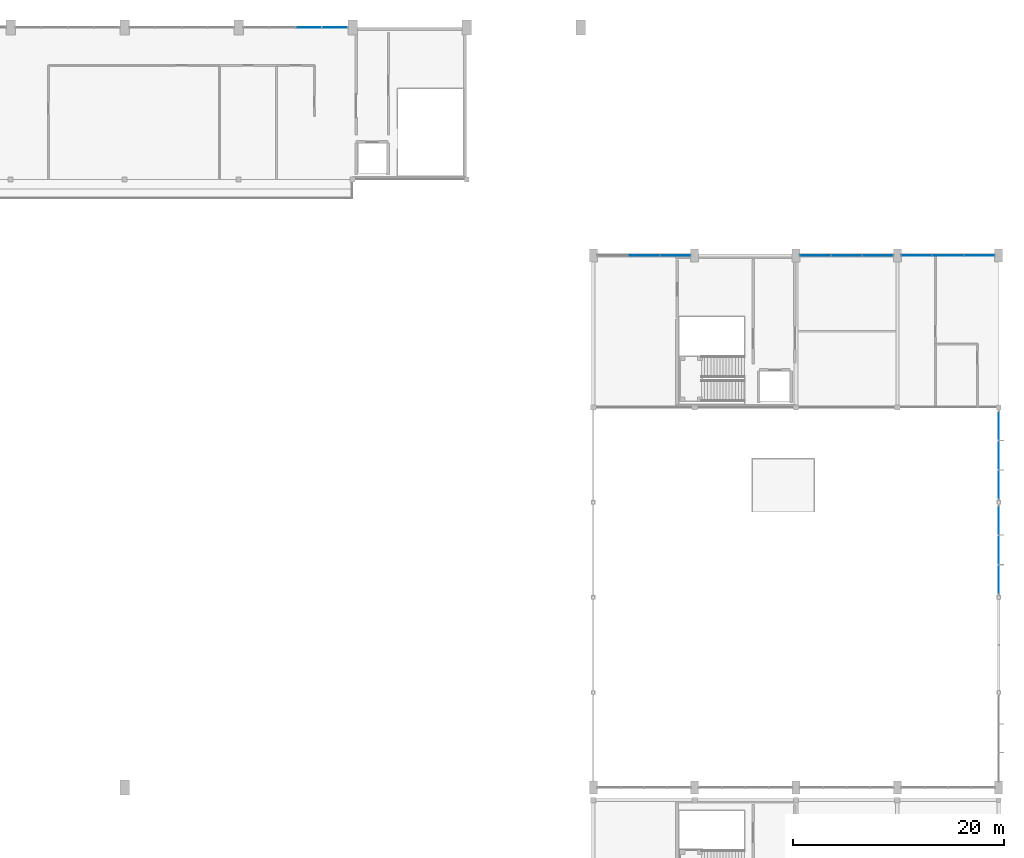
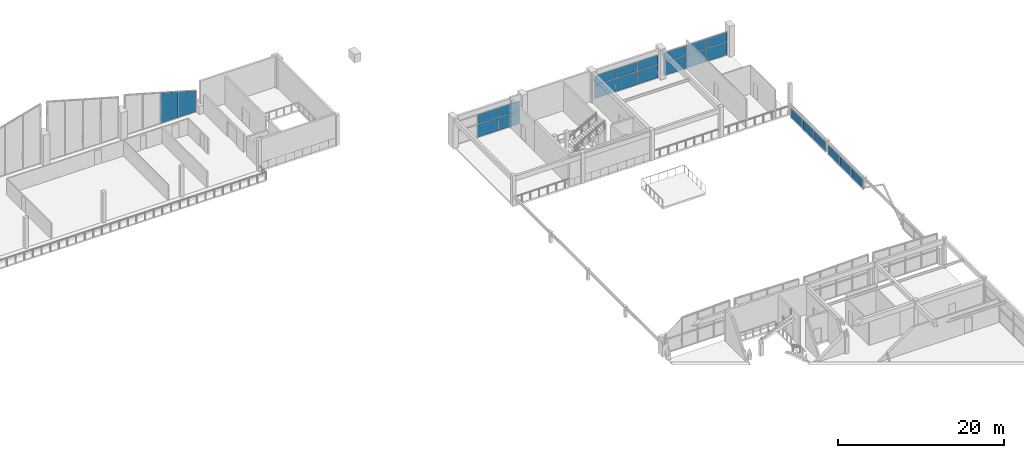
# One storey, part 62 of 89: 24 plates, 6 elements without a shape of their own.
"""IFC4 building model written with IfcOpenShell, lengths in metres."""

from ifc_helpers import new_model, si_unit, direction, frame, origin, place, context, subcontext, project, spatial, polyline, outline, extrude, material, layer, layer_set, type_object, element, aggregate, save


model = new_model("IFC4")

# Units and contexts
model_context = context("Model", 3, precision=1e-05, world=origin(), true_north=direction((0.0, 1.0)))
body_context = subcontext(model_context, "Body", "Model", "MODEL_VIEW")
ifc_project = project(units=[si_unit("LENGTHUNIT", "METRE"), si_unit("AREAUNIT", "SQUARE_METRE"), si_unit("VOLUMEUNIT", "CUBIC_METRE"), si_unit("PLANEANGLEUNIT", "RADIAN"), si_unit("MASSUNIT", "GRAM", prefix="KILO")], contexts=[model_context])

# Site, building, storey
site_placement = place(None, origin())
site = spatial("IfcSite", under=ifc_project, at=site_placement, CompositionType="ELEMENT")
building_placement = place(site_placement, origin())
building = spatial("IfcBuilding", under=site, at=building_placement, Name="Suirenkawa Promenade Aquatics Centre", CompositionType="ELEMENT")
storey_placement = place(building_placement, frame((0.0, 0.0, 9.60009765625)))
storey = spatial("IfcBuildingStorey", under=building, at=storey_placement, Name="L02", CompositionType="ELEMENT", Elevation=9.60009765625)

# Curtain wall, plates
ifc_material_1 = material(Name="Anodised aluminium 6063-T6", Category="aluminium")
curtain_wall_type_1 = type_object("IfcCurtainWallType", Name="CWAT-CLERN-13", PredefinedType="NOTDEFINED", material=ifc_material_1)
curtain_wall_1_placement = place(storey_placement, origin())
curtain_wall_1 = element("IfcCurtainWall", 1, at=curtain_wall_1_placement, inside=storey, type_object=curtain_wall_type_1, Name="Curtain wall CWA-13 CW-029", PredefinedType="NOTDEFINED")
ifc_material_2 = material(Name="Ceramic-fritted low-SHGC double glazing", Category="glass")
ifc_layer_1 = layer(ifc_material_2, 0.031982421875, Name="Ceramic-fritted low-SHGC double glazing", Category="glass")
ifc_layer_set_1 = layer_set([ifc_layer_1], Name="Ceramic-fritted low-SHGC double glazing")
plate_type_1 = type_object("IfcPlateType", Name="CWP-CLER-32", PredefinedType="CURTAIN_PANEL", material=ifc_layer_set_1)
plate_1_placement = place(storey_placement, frame((127.800048828125, 122.39990234375, 0.039794921875), z_axis=(0.0, 0.0, 1.0), x_axis=(1.0, 0.0, 0.0)))
plate_1 = element("IfcPlate", 2, at=plate_1_placement, type_object=plate_type_1, Name="Top glazed panel CP-03 CWP-00617", PredefinedType="CURTAIN_PANEL", context=body_context, shape_type="SweptSolid", body=[
    extrude(outline(polyline([(0.0400390625, 0.0), (2.435546875, 0.0), (2.435546875, 3.77001953125), (0.0400390625, 4.47021484375), (0.0400390625, 0.0)])), frame((0.0, 0.01611328125, 0.0), z_axis=(0.0, -1.0, 0.0), x_axis=(1.0, 0.0, 0.0)), (0.0, 0.0, 1.0), 0.031982421875),
])
plate_2_placement = place(storey_placement, frame((130.275390625, 122.39990234375, 0.039794921875), z_axis=(0.0, 0.0, 1.0), x_axis=(1.0, 0.0, 0.0)))
plate_2 = element("IfcPlate", 3, at=plate_2_placement, type_object=plate_type_1, Name="Top glazed panel CP-03 CWP-00618", PredefinedType="CURTAIN_PANEL", context=body_context, shape_type="SweptSolid", body=[
    extrude(outline(polyline([(0.0400390625, 0.0), (2.435546875, 0.0), (2.435546875, 3.070068359375), (0.0400390625, 3.77001953125), (0.0400390625, 0.0)])), frame((0.0, 0.01611328125, 0.0), z_axis=(0.0, -1.0, 0.0), x_axis=(1.0, 0.0, 0.0)), (0.0, 0.0, 1.0), 0.031982421875),
])
aggregate(curtain_wall_1, [plate_1, plate_2])

curtain_wall_type_2 = type_object("IfcCurtainWallType", Name="CWAT-V2GL02-19", PredefinedType="NOTDEFINED", material=ifc_material_1)
curtain_wall_2_placement = place(storey_placement, origin())
curtain_wall_2 = element("IfcCurtainWall", 4, at=curtain_wall_2_placement, inside=storey, type_object=curtain_wall_type_2, Name="Curtain wall CWA-19 CW-038", PredefinedType="NOTDEFINED")
ifc_material_3 = material(Name="Low-E thermally broken double glazing", Category="glass")
ifc_layer_2 = layer(ifc_material_3, 0.028076171875, Name="Low-E thermally broken double glazing", Category="glass")
ifc_layer_set_2 = layer_set([ifc_layer_2], Name="Low-E thermally broken double glazing")
plate_type_2 = type_object("IfcPlateType", Name="CWP-LOWE-28", PredefinedType="CURTAIN_PANEL", material=ifc_layer_set_2)
plate_3_placement = place(storey_placement, frame((159.32470703125, 100.800048828125, 0.039794921875), z_axis=(0.0, 0.0, 1.0), x_axis=(1.0, 0.0, 0.0)))
plate_3 = element("IfcPlate", 5, at=plate_3_placement, type_object=plate_type_2, Name="Glazed panel CP-02 CWP-00791", PredefinedType="CURTAIN_PANEL", context=body_context, shape_type="SweptSolid", body=[
    extrude(outline(polyline([(0.0400390625, 0.0), (2.91064453125, 0.0), (2.91064453125, 1.920166015625), (0.0400390625, 1.920166015625), (0.0400390625, 0.0)])), frame((0.0, 0.01416015625, 0.0), z_axis=(0.0, -1.0, 0.0), x_axis=(1.0, 0.0, 0.0)), (0.0, 0.0, 1.0), 0.028076171875),
])
plate_4_placement = place(storey_placement, frame((159.32470703125, 100.800048828125, 2.039794921875), z_axis=(0.0, 0.0, 1.0), x_axis=(1.0, 0.0, 0.0)))
plate_4 = element("IfcPlate", 6, at=plate_4_placement, type_object=plate_type_2, Name="Top glazed panel CP-02 CWP-00792", PredefinedType="CURTAIN_PANEL", context=body_context, shape_type="SweptSolid", body=[
    extrude(outline(polyline([(0.0400390625, 0.0), (2.91064453125, 0.0), (2.91064453125, 1.340087890625), (0.0400390625, 1.340087890625), (0.0400390625, 0.0)])), frame((0.0, 0.01416015625, 0.0), z_axis=(0.0, -1.0, 0.0), x_axis=(1.0, 0.0, 0.0)), (0.0, 0.0, 1.0), 0.028076171875),
])
plate_5_placement = place(storey_placement, frame((162.275390625, 100.800048828125, 0.039794921875), z_axis=(0.0, 0.0, 1.0), x_axis=(1.0, 0.0, 0.0)))
plate_5 = element("IfcPlate", 7, at=plate_5_placement, type_object=plate_type_2, Name="Glazed panel CP-02 CWP-00793", PredefinedType="CURTAIN_PANEL", context=body_context, shape_type="SweptSolid", body=[
    extrude(outline(polyline([(0.0400390625, 0.0), (2.91064453125, 0.0), (2.91064453125, 1.920166015625), (0.0400390625, 1.920166015625), (0.0400390625, 0.0)])), frame((0.0, 0.01416015625, 0.0), z_axis=(0.0, -1.0, 0.0), x_axis=(1.0, 0.0, 0.0)), (0.0, 0.0, 1.0), 0.028076171875),
])
plate_6_placement = place(storey_placement, frame((162.275390625, 100.800048828125, 2.039794921875), z_axis=(0.0, 0.0, 1.0), x_axis=(1.0, 0.0, 0.0)))
plate_6 = element("IfcPlate", 8, at=plate_6_placement, type_object=plate_type_2, Name="Top glazed panel CP-02 CWP-00794", PredefinedType="CURTAIN_PANEL", context=body_context, shape_type="SweptSolid", body=[
    extrude(outline(polyline([(0.0400390625, 0.0), (2.91064453125, 0.0), (2.91064453125, 1.340087890625), (0.0400390625, 1.340087890625), (0.0400390625, 0.0)])), frame((0.0, 0.01416015625, 0.0), z_axis=(0.0, -1.0, 0.0), x_axis=(1.0, 0.0, 0.0)), (0.0, 0.0, 1.0), 0.028076171875),
])
aggregate(curtain_wall_2, [plate_3, plate_4, plate_5, plate_6])

curtain_wall_3_placement = place(storey_placement, origin())
curtain_wall_3 = element("IfcCurtainWall", 9, at=curtain_wall_3_placement, inside=storey, type_object=curtain_wall_type_2, Name="Curtain wall CWA-19 CW-044", PredefinedType="NOTDEFINED")
plate_7_placement = place(storey_placement, frame((175.573974609375, 100.800048828125, 0.039794921875), z_axis=(0.0, 0.0, 1.0), x_axis=(1.0, 0.0, 0.0)))
plate_7 = element("IfcPlate", 10, at=plate_7_placement, type_object=plate_type_2, Name="Glazed panel CP-02 CWP-00911", PredefinedType="CURTAIN_PANEL", context=body_context, shape_type="SweptSolid", body=[
    extrude(outline(polyline([(0.0400390625, 0.0), (2.91064453125, 0.0), (2.91064453125, 1.920166015625), (0.0400390625, 1.920166015625), (0.0400390625, 0.0)])), frame((0.0, 0.01416015625, 0.0), z_axis=(0.0, -1.0, 0.0), x_axis=(1.0, 0.0, 0.0)), (0.0, 0.0, 1.0), 0.028076171875),
])
plate_8_placement = place(storey_placement, frame((175.573974609375, 100.800048828125, 2.039794921875), z_axis=(0.0, 0.0, 1.0), x_axis=(1.0, 0.0, 0.0)))
plate_8 = element("IfcPlate", 11, at=plate_8_placement, type_object=plate_type_2, Name="Top glazed panel CP-02 CWP-00912", PredefinedType="CURTAIN_PANEL", context=body_context, shape_type="SweptSolid", body=[
    extrude(outline(polyline([(0.0400390625, 0.0), (2.91064453125, 0.0), (2.91064453125, 1.340087890625), (0.0400390625, 1.340087890625), (0.0400390625, 0.0)])), frame((0.0, 0.01416015625, 0.0), z_axis=(0.0, -1.0, 0.0), x_axis=(1.0, 0.0, 0.0)), (0.0, 0.0, 1.0), 0.028076171875),
])
plate_9_placement = place(storey_placement, frame((178.524658203125, 100.800048828125, 0.039794921875), z_axis=(0.0, 0.0, 1.0), x_axis=(1.0, 0.0, 0.0)))
plate_9 = element("IfcPlate", 12, at=plate_9_placement, type_object=plate_type_2, Name="Glazed panel CP-02 CWP-00913", PredefinedType="CURTAIN_PANEL", context=body_context, shape_type="SweptSolid", body=[
    extrude(outline(polyline([(0.0400390625, 0.0), (2.91064453125, 0.0), (2.91064453125, 1.920166015625), (0.0400390625, 1.920166015625), (0.0400390625, 0.0)])), frame((0.0, 0.01416015625, 0.0), z_axis=(0.0, -1.0, 0.0), x_axis=(1.0, 0.0, 0.0)), (0.0, 0.0, 1.0), 0.028076171875),
])
plate_10_placement = place(storey_placement, frame((178.524658203125, 100.800048828125, 2.039794921875), z_axis=(0.0, 0.0, 1.0), x_axis=(1.0, 0.0, 0.0)))
plate_10 = element("IfcPlate", 13, at=plate_10_placement, type_object=plate_type_2, Name="Top glazed panel CP-02 CWP-00914", PredefinedType="CURTAIN_PANEL", context=body_context, shape_type="SweptSolid", body=[
    extrude(outline(polyline([(0.0400390625, 0.0), (2.91064453125, 0.0), (2.91064453125, 1.340087890625), (0.0400390625, 1.340087890625), (0.0400390625, 0.0)])), frame((0.0, 0.01416015625, 0.0), z_axis=(0.0, -1.0, 0.0), x_axis=(1.0, 0.0, 0.0)), (0.0, 0.0, 1.0), 0.028076171875),
])
plate_11_placement = place(storey_placement, frame((181.475341796875, 100.800048828125, 0.039794921875), z_axis=(0.0, 0.0, 1.0), x_axis=(1.0, 0.0, 0.0)))
plate_11 = element("IfcPlate", 14, at=plate_11_placement, type_object=plate_type_2, Name="Glazed panel CP-02 CWP-00915", PredefinedType="CURTAIN_PANEL", context=body_context, shape_type="SweptSolid", body=[
    extrude(outline(polyline([(0.0400390625, 0.0), (2.91064453125, 0.0), (2.91064453125, 1.920166015625), (0.0400390625, 1.920166015625), (0.0400390625, 0.0)])), frame((0.0, 0.01416015625, 0.0), z_axis=(0.0, -1.0, 0.0), x_axis=(1.0, 0.0, 0.0)), (0.0, 0.0, 1.0), 0.028076171875),
])
plate_12_placement = place(storey_placement, frame((181.475341796875, 100.800048828125, 2.039794921875), z_axis=(0.0, 0.0, 1.0), x_axis=(1.0, 0.0, 0.0)))
plate_12 = element("IfcPlate", 15, at=plate_12_placement, type_object=plate_type_2, Name="Top glazed panel CP-02 CWP-00916", PredefinedType="CURTAIN_PANEL", context=body_context, shape_type="SweptSolid", body=[
    extrude(outline(polyline([(0.0400390625, 0.0), (2.91064453125, 0.0), (2.91064453125, 1.340087890625), (0.0400390625, 1.340087890625), (0.0400390625, 0.0)])), frame((0.0, 0.01416015625, 0.0), z_axis=(0.0, -1.0, 0.0), x_axis=(1.0, 0.0, 0.0)), (0.0, 0.0, 1.0), 0.028076171875),
])
aggregate(curtain_wall_3, [plate_7, plate_8, plate_9, plate_10, plate_11, plate_12])

curtain_wall_4_placement = place(storey_placement, origin())
curtain_wall_4 = element("IfcCurtainWall", 16, at=curtain_wall_4_placement, inside=storey, type_object=curtain_wall_type_2, Name="Curtain wall CWA-19 CW-047", PredefinedType="NOTDEFINED")
plate_13_placement = place(storey_placement, frame((185.174072265625, 100.800048828125, 0.039794921875), z_axis=(0.0, 0.0, 1.0), x_axis=(1.0, 0.0, 0.0)))
plate_13 = element("IfcPlate", 17, at=plate_13_placement, type_object=plate_type_2, Name="Glazed panel CP-02 CWP-00967", PredefinedType="CURTAIN_PANEL", context=body_context, shape_type="SweptSolid", body=[
    extrude(outline(polyline([(0.0400390625, 0.0), (2.91064453125, 0.0), (2.91064453125, 1.920166015625), (0.0400390625, 1.920166015625), (0.0400390625, 0.0)])), frame((0.0, 0.01416015625, 0.0), z_axis=(0.0, -1.0, 0.0), x_axis=(1.0, 0.0, 0.0)), (0.0, 0.0, 1.0), 0.028076171875),
])
plate_14_placement = place(storey_placement, frame((185.174072265625, 100.800048828125, 2.039794921875), z_axis=(0.0, 0.0, 1.0), x_axis=(1.0, 0.0, 0.0)))
plate_14 = element("IfcPlate", 18, at=plate_14_placement, type_object=plate_type_2, Name="Top glazed panel CP-02 CWP-00968", PredefinedType="CURTAIN_PANEL", context=body_context, shape_type="SweptSolid", body=[
    extrude(outline(polyline([(0.0400390625, 0.0), (2.91064453125, 0.0), (2.91064453125, 1.340087890625), (0.0400390625, 1.340087890625), (0.0400390625, 0.0)])), frame((0.0, 0.01416015625, 0.0), z_axis=(0.0, -1.0, 0.0), x_axis=(1.0, 0.0, 0.0)), (0.0, 0.0, 1.0), 0.028076171875),
])
plate_15_placement = place(storey_placement, frame((188.124755859375, 100.800048828125, 0.039794921875), z_axis=(0.0, 0.0, 1.0), x_axis=(1.0, 0.0, 0.0)))
plate_15 = element("IfcPlate", 19, at=plate_15_placement, type_object=plate_type_2, Name="Glazed panel CP-02 CWP-00969", PredefinedType="CURTAIN_PANEL", context=body_context, shape_type="SweptSolid", body=[
    extrude(outline(polyline([(0.0400390625, 0.0), (2.91064453125, 0.0), (2.91064453125, 1.920166015625), (0.0400390625, 1.920166015625), (0.0400390625, 0.0)])), frame((0.0, 0.01416015625, 0.0), z_axis=(0.0, -1.0, 0.0), x_axis=(1.0, 0.0, 0.0)), (0.0, 0.0, 1.0), 0.028076171875),
])
plate_16_placement = place(storey_placement, frame((188.124755859375, 100.800048828125, 2.039794921875), z_axis=(0.0, 0.0, 1.0), x_axis=(1.0, 0.0, 0.0)))
plate_16 = element("IfcPlate", 20, at=plate_16_placement, type_object=plate_type_2, Name="Top glazed panel CP-02 CWP-00970", PredefinedType="CURTAIN_PANEL", context=body_context, shape_type="SweptSolid", body=[
    extrude(outline(polyline([(0.0400390625, 0.0), (2.91064453125, 0.0), (2.91064453125, 1.340087890625), (0.0400390625, 1.340087890625), (0.0400390625, 0.0)])), frame((0.0, 0.01416015625, 0.0), z_axis=(0.0, -1.0, 0.0), x_axis=(1.0, 0.0, 0.0)), (0.0, 0.0, 1.0), 0.028076171875),
])
plate_17_placement = place(storey_placement, frame((191.075439453125, 100.800048828125, 0.039794921875), z_axis=(0.0, 0.0, 1.0), x_axis=(1.0, 0.0, 0.0)))
plate_17 = element("IfcPlate", 21, at=plate_17_placement, type_object=plate_type_2, Name="Glazed panel CP-02 CWP-00971", PredefinedType="CURTAIN_PANEL", context=body_context, shape_type="SweptSolid", body=[
    extrude(outline(polyline([(0.0400390625, 0.0), (2.91064453125, 0.0), (2.91064453125, 1.920166015625), (0.0400390625, 1.920166015625), (0.0400390625, 0.0)])), frame((0.0, 0.01416015625, 0.0), z_axis=(0.0, -1.0, 0.0), x_axis=(1.0, 0.0, 0.0)), (0.0, 0.0, 1.0), 0.028076171875),
])
plate_18_placement = place(storey_placement, frame((191.075439453125, 100.800048828125, 2.039794921875), z_axis=(0.0, 0.0, 1.0), x_axis=(1.0, 0.0, 0.0)))
plate_18 = element("IfcPlate", 22, at=plate_18_placement, type_object=plate_type_2, Name="Top glazed panel CP-02 CWP-00972", PredefinedType="CURTAIN_PANEL", context=body_context, shape_type="SweptSolid", body=[
    extrude(outline(polyline([(0.0400390625, 0.0), (2.91064453125, 0.0), (2.91064453125, 1.340087890625), (0.0400390625, 1.340087890625), (0.0400390625, 0.0)])), frame((0.0, 0.01416015625, 0.0), z_axis=(0.0, -1.0, 0.0), x_axis=(1.0, 0.0, 0.0)), (0.0, 0.0, 1.0), 0.028076171875),
])
aggregate(curtain_wall_4, [plate_13, plate_14, plate_15, plate_16, plate_17, plate_18])

curtain_wall_type_3 = type_object("IfcCurtainWallType", Name="CWAT-V2E-23", PredefinedType="NOTDEFINED", material=ifc_material_1)
curtain_wall_5_placement = place(storey_placement, origin())
curtain_wall_5 = element("IfcCurtainWall", 23, at=curtain_wall_5_placement, inside=storey, type_object=curtain_wall_type_3, Name="Curtain wall CWA-23 CW-051", PredefinedType="NOTDEFINED")
ifc_layer_3 = layer(ifc_material_2, 0.035888671875, Name="Ceramic-fritted low-SHGC double glazing", Category="glass")
ifc_layer_set_3 = layer_set([ifc_layer_3], Name="Ceramic-fritted low-SHGC double glazing")
plate_type_3 = type_object("IfcPlateType", Name="CWP-SHOJI-36", PredefinedType="CURTAIN_PANEL", material=ifc_layer_set_3)
plate_19_placement = place(storey_placement, frame((194.39990234375, 77.10107421875, -0.31005859375), z_axis=(0.0, 0.0, 1.0), x_axis=(0.0, -1.0, 0.0)))
plate_19 = element("IfcPlate", 24, at=plate_19_placement, type_object=plate_type_3, Name="Top glazed panel CP-01 CWP-01026", PredefinedType="CURTAIN_PANEL", context=body_context, shape_type="SweptSolid", body=[
    extrude(outline(polyline([(0.0400390625, 0.0), (2.7607421875, 0.0), (2.7607421875, 1.324951171875), (0.0400390625, 1.324951171875), (0.0400390625, 0.0)])), frame((0.0, 0.01806640625, 0.0), z_axis=(0.0, -1.0, 0.0), x_axis=(1.0, 0.0, 0.0)), (0.0, 0.0, 1.0), 0.035888671875),
])
plate_20_placement = place(storey_placement, frame((194.39990234375, 74.30029296875, -0.31005859375), z_axis=(0.0, 0.0, 1.0), x_axis=(0.0, -1.0, 0.0)))
plate_20 = element("IfcPlate", 25, at=plate_20_placement, type_object=plate_type_3, Name="Top glazed panel CP-01 CWP-01027", PredefinedType="CURTAIN_PANEL", context=body_context, shape_type="SweptSolid", body=[
    extrude(outline(polyline([(0.0400390625, 0.0), (2.7607421875, 0.0), (2.7607421875, 1.324951171875), (0.0400390625, 1.324951171875), (0.0400390625, 0.0)])), frame((0.0, 0.01806640625, 0.0), z_axis=(0.0, -1.0, 0.0), x_axis=(1.0, 0.0, 0.0)), (0.0, 0.0, 1.0), 0.035888671875),
])
plate_21_placement = place(storey_placement, frame((194.39990234375, 71.499755859375, -0.31005859375), z_axis=(0.0, 0.0, 1.0), x_axis=(0.0, -1.0, 0.0)))
plate_21 = element("IfcPlate", 26, at=plate_21_placement, type_object=plate_type_3, Name="Top glazed panel CP-01 CWP-01028", PredefinedType="CURTAIN_PANEL", context=body_context, shape_type="SweptSolid", body=[
    extrude(outline(polyline([(0.0400390625, 0.0), (2.7607421875, 0.0), (2.7607421875, 1.324951171875), (0.0400390625, 1.324951171875), (0.0400390625, 0.0)])), frame((0.0, 0.01806640625, 0.0), z_axis=(0.0, -1.0, 0.0), x_axis=(1.0, 0.0, 0.0)), (0.0, 0.0, 1.0), 0.035888671875),
])
aggregate(curtain_wall_5, [plate_19, plate_20, plate_21])

curtain_wall_6_placement = place(storey_placement, origin())
curtain_wall_6 = element("IfcCurtainWall", 27, at=curtain_wall_6_placement, inside=storey, type_object=curtain_wall_type_3, Name="Curtain wall CWA-23 CW-053", PredefinedType="NOTDEFINED")
plate_22_placement = place(storey_placement, frame((194.39990234375, 86.051025390625, -0.31005859375), z_axis=(0.0, 0.0, 1.0), x_axis=(0.0, -1.0, 0.0)))
plate_22 = element("IfcPlate", 28, at=plate_22_placement, type_object=plate_type_3, Name="Top glazed panel CP-01 CWP-01054", PredefinedType="CURTAIN_PANEL", context=body_context, shape_type="SweptSolid", body=[
    extrude(outline(polyline([(0.0400390625, 0.0), (2.743896484375, 0.0), (2.743896484375, 1.324951171875), (0.0400390625, 1.324951171875), (0.0400390625, 0.0)])), frame((0.0, 0.01806640625, 0.0), z_axis=(0.0, -1.0, 0.0), x_axis=(1.0, 0.0, 0.0)), (0.0, 0.0, 1.0), 0.035888671875),
])
plate_23_placement = place(storey_placement, frame((194.39990234375, 83.26708984375, -0.31005859375), z_axis=(0.0, 0.0, 1.0), x_axis=(0.0, -1.0, 0.0)))
plate_23 = element("IfcPlate", 29, at=plate_23_placement, type_object=plate_type_3, Name="Top glazed panel CP-01 CWP-01055", PredefinedType="CURTAIN_PANEL", context=body_context, shape_type="SweptSolid", body=[
    extrude(outline(polyline([(0.0400390625, 0.0), (2.743896484375, 0.0), (2.743896484375, 1.324951171875), (0.0400390625, 1.324951171875), (0.0400390625, 0.0)])), frame((0.0, 0.01806640625, 0.0), z_axis=(0.0, -1.0, 0.0), x_axis=(1.0, 0.0, 0.0)), (0.0, 0.0, 1.0), 0.035888671875),
])
plate_24_placement = place(storey_placement, frame((194.39990234375, 80.48291015625, -0.31005859375), z_axis=(0.0, 0.0, 1.0), x_axis=(0.0, -1.0, 0.0)))
plate_24 = element("IfcPlate", 30, at=plate_24_placement, type_object=plate_type_3, Name="Top glazed panel CP-01 CWP-01056", PredefinedType="CURTAIN_PANEL", context=body_context, shape_type="SweptSolid", body=[
    extrude(outline(polyline([(0.0400390625, 0.0), (2.743896484375, 0.0), (2.743896484375, 1.324951171875), (0.0400390625, 1.324951171875), (0.0400390625, 0.0)])), frame((0.0, 0.01806640625, 0.0), z_axis=(0.0, -1.0, 0.0), x_axis=(1.0, 0.0, 0.0)), (0.0, 0.0, 1.0), 0.035888671875),
])
aggregate(curtain_wall_6, [plate_22, plate_23, plate_24])

save(model, "model.ifc")
